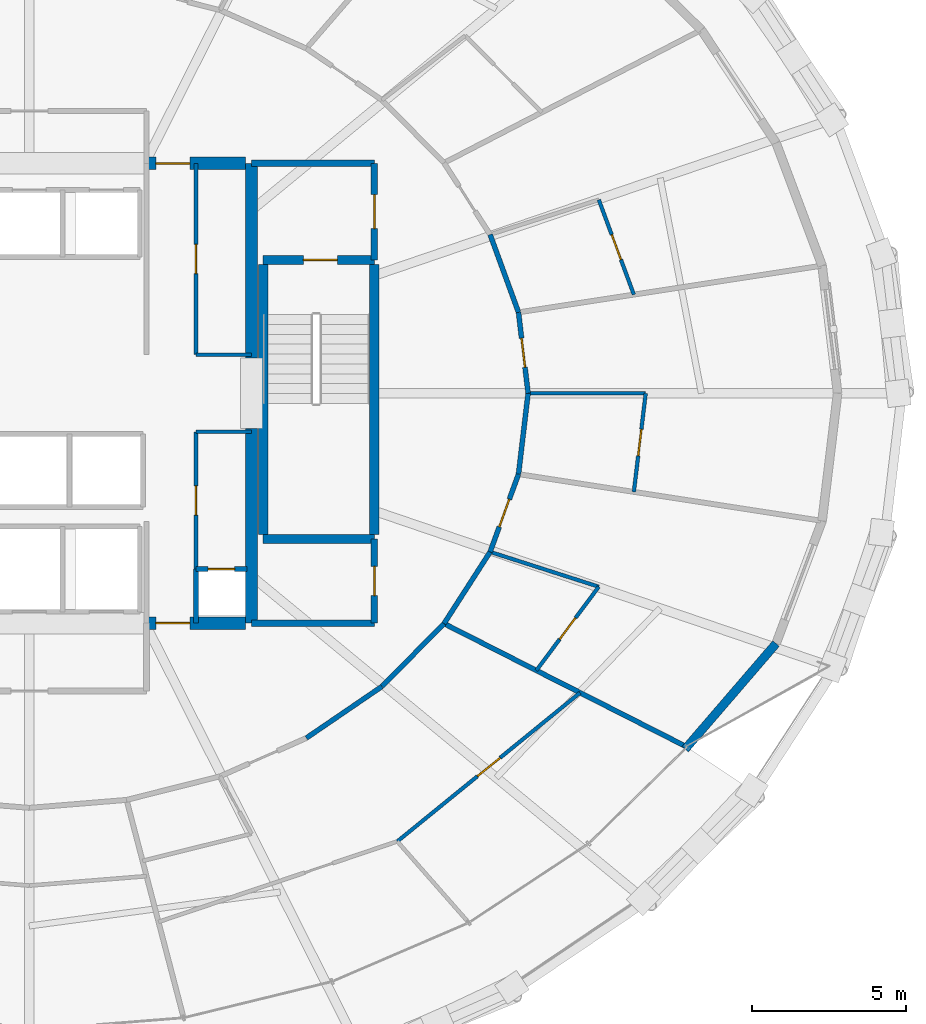
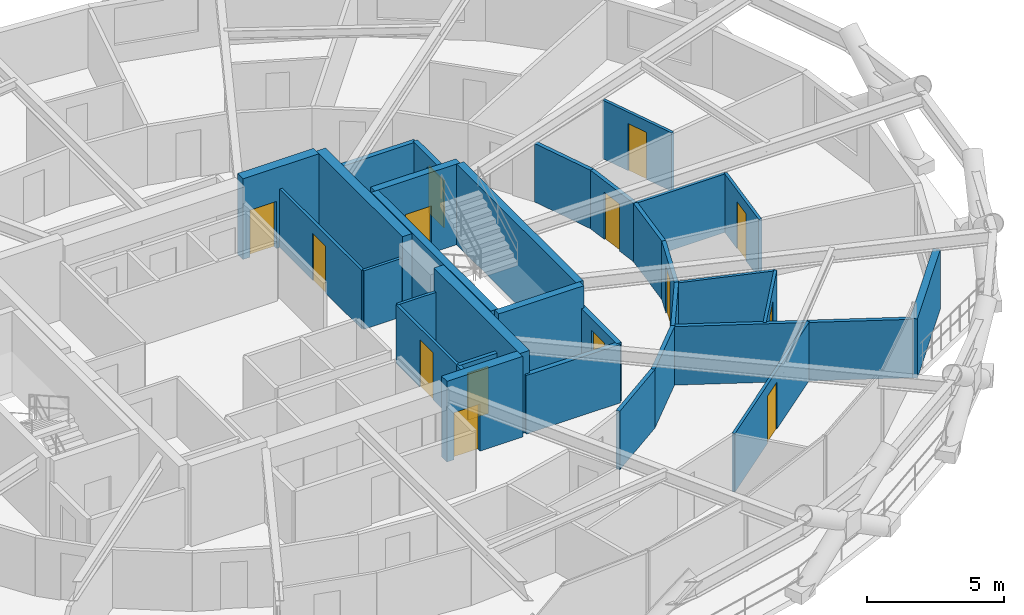
# One storey, part 15 of 19: 33 walls, 14 doors, 14 openings.
"""IFC4 building model written with IfcOpenShell, lengths in metres."""

from ifc_helpers import new_model, si_unit, direction, frame, frame_2d, origin, place, context, subcontext, project, spatial, rectangle, extrude, material, layer, layer_set, type_object, element, fill, save


model = new_model("IFC4")

# Units and contexts
model_context = context("Model", 3, precision=1e-05, world=origin(), true_north=direction((0.0, 1.0)))
body_context = subcontext(model_context, "Body", "Model", "MODEL_VIEW")
ifc_project = project(units=[si_unit("LENGTHUNIT", "METRE"), si_unit("AREAUNIT", "SQUARE_METRE"), si_unit("VOLUMEUNIT", "CUBIC_METRE"), si_unit("PLANEANGLEUNIT", "RADIAN"), si_unit("MASSUNIT", "GRAM", prefix="KILO")], contexts=[model_context])

# Site, building, storey
site_placement = place(None, origin())
site = spatial("IfcSite", under=ifc_project, at=site_placement, CompositionType="ELEMENT")
building_placement = place(site_placement, origin())
building = spatial("IfcBuilding", under=site, at=building_placement, Name="Veldorina Hangang Commons", CompositionType="ELEMENT")
storey_placement = place(building_placement, frame((0.0, 0.0, 44.800048828125)))
storey = spatial("IfcBuildingStorey", under=building, at=storey_placement, Name="L10", CompositionType="ELEMENT", Elevation=44.800048828125)

# Walls
ifc_material_1 = material(Name="Concrete C70/85", Category="concrete")
ifc_layer_1 = layer(ifc_material_1, 0.39990234375)
ifc_layer_set_1 = layer_set([ifc_layer_1], Name="Concrete C70/85")
wall_type_1 = type_object("IfcWallType", Name="CW-RC400-C70", PredefinedType="SHEAR", material=ifc_layer_set_1)
for number, where, z_axis, x_axis, name in (
    (1, (39.199951171875, 16.550048828125, 0.0), (0.0, 0.0, 1.0), (0.0, 1.0, 0.0), "L10 E south core shear wall"),
    (2, (39.199951171875, 25.14990234375, 0.0), (0.0, 0.0, 1.0), (0.0, 1.0, 0.0), "L10 E north core shear wall"),
):
    element("IfcWall", number, at=place(storey_placement, frame(where, z_axis=z_axis, x_axis=x_axis)), inside=storey, type_object=wall_type_1, Name=name, PredefinedType="SHEAR", context=body_context, shape_type="SweptSolid", body=[
        extrude(rectangle(XDim=6.300048828125, YDim=0.39990234375, at=frame_2d((3.14990234375, 0.0))), origin(), (0.0, 0.0, 1.0), 3.599853515625),
    ])

# Wall, opening, door
wall_1_placement = place(storey_placement, frame((35.800048828125, 16.550048828125, 0.0), z_axis=(0.0, 0.0, 1.0), x_axis=(1.0, 0.0, 0.0)))
wall_1 = element("IfcWall", 3, at=wall_1_placement, inside=storey, type_object=wall_type_1, Name="L10 south-east core shear wall", PredefinedType="SHEAR", context=body_context, shape_type="SweptSolid", body=[
    extrude(rectangle(XDim=3.199951171875, YDim=0.39990234375, at=frame_2d((1.60009765625, 0.0))), origin(), (0.0, 0.0, 1.0), 3.599853515625),
])
opening_1_placement = place(wall_1_placement, frame((0.300048828125, 0.0, 0.0)))
opening_1 = element("IfcOpeningElement", 4, at=opening_1_placement, cuts=wall_1, Name="Opening D-08", PredefinedType="OPENING", context=body_context, shape_type="SweptSolid", body=[
    extrude(rectangle(XDim=1.10009765625, YDim=2.10009765625, at=frame_2d((0.550048828125, 1.050048828125))), frame((0.0, 0.2099609375, 0.0), z_axis=(0.0, -1.0, 0.0), x_axis=(1.0, 0.0, 0.0)), (0.0, 0.0, 1.0), 0.419921875),
])
ifc_material_2 = material(Name="Steel Fire-Rated Smoke Seal", Category="steel")
door_type_1 = type_object("IfcDoorType", Name="DR-FIRE-1100", OperationType="SINGLE_SWING_RIGHT", PredefinedType="DOOR", material=ifc_material_2)
door_1_placement = place(opening_1_placement, origin())
door_1 = element("IfcDoor", 5, at=door_1_placement, inside=storey, type_object=door_type_1, Name="L10 central lift lobby south corridor door", OperationType="SINGLE_SWING_RIGHT", OverallHeight=2.10009765625, OverallWidth=1.10009765625, PredefinedType="DOOR", context=body_context, shape_type="SweptSolid", body=[
    extrude(rectangle(XDim=1.10009765625, YDim=2.10009765625, at=frame_2d((0.550048828125, 1.050048828125))), frame((0.0, 0.02490234375, 0.0), z_axis=(0.0, -1.0, 0.0), x_axis=(1.0, 0.0, 0.0)), (0.0, 0.0, 1.0), 0.050048828125),
])
fill(opening_1, door_1)

wall_2_placement = place(storey_placement, frame((35.800048828125, 31.449951171875, 0.0), z_axis=(0.0, 0.0, 1.0), x_axis=(1.0, 0.0, 0.0)))
wall_2 = element("IfcWall", 6, at=wall_2_placement, inside=storey, type_object=wall_type_1, Name="L10 north-east core shear wall", PredefinedType="SHEAR", context=body_context, shape_type="SweptSolid", body=[
    extrude(rectangle(XDim=3.199951171875, YDim=0.39990234375, at=frame_2d((1.60009765625, 0.0))), origin(), (0.0, 0.0, 1.0), 3.599853515625),
])
opening_2_placement = place(wall_2_placement, frame((0.300048828125, 0.0, 0.0)))
opening_2 = element("IfcOpeningElement", 7, at=opening_2_placement, cuts=wall_2, Name="Opening D-08", PredefinedType="OPENING", context=body_context, shape_type="SweptSolid", body=[
    extrude(rectangle(XDim=1.10009765625, YDim=2.10009765625, at=frame_2d((0.550048828125, 1.050048828125))), frame((0.0, 0.2099609375, 0.0), z_axis=(0.0, -1.0, 0.0), x_axis=(1.0, 0.0, 0.0)), (0.0, 0.0, 1.0), 0.419921875),
])
door_2_placement = place(opening_2_placement, origin())
door_2 = element("IfcDoor", 8, at=door_2_placement, inside=storey, type_object=door_type_1, Name="L10 central lift lobby north corridor door", OperationType="SINGLE_SWING_LEFT", OverallHeight=2.10009765625, OverallWidth=1.10009765625, PredefinedType="DOOR", context=body_context, shape_type="SweptSolid", body=[
    extrude(rectangle(XDim=1.10009765625, YDim=2.10009765625, at=frame_2d((0.550048828125, 1.050048828125))), frame((0.0, 0.02490234375, 0.0), z_axis=(0.0, -1.0, 0.0), x_axis=(1.0, 0.0, 0.0)), (0.0, 0.0, 1.0), 0.050048828125),
])
fill(opening_2, door_2)

# Walls
ifc_material_3 = material(Name="Stone Roman Travertine", Category="masonry")
ifc_layer_2 = layer(ifc_material_3, 0.280029296875)
ifc_layer_set_2 = layer_set([ifc_layer_2], Name="Stone Roman Travertine")
wall_type_2 = type_object("IfcWallType", Name="EW-TRAV-280", PredefinedType="STANDARD", material=ifc_layer_set_2)
wall_3_placement = place(storey_placement, frame((53.251220703125, 12.468505859375, 0.0), z_axis=(0.0, 0.0, 1.0), x_axis=(0.652392900896, 0.757880929211, 0.0)))
element("IfcWall", 9, at=wall_3_placement, inside=storey, type_object=wall_type_2, Name="L10 travertine facade wall 29", PredefinedType="STANDARD", context=body_context, shape_type="SweptSolid", body=[
    extrude(rectangle(XDim=4.515380859375, YDim=0.280029296875, at=frame_2d((2.2578125, 0.0))), origin(), (0.0, 0.0, 1.0), 2.64990234375),
])
ifc_material_4 = material(Name="Concrete C50/60", Category="concrete")
ifc_layer_3 = layer(ifc_material_4, 0.300048828125)
ifc_layer_set_3 = layer_set([ifc_layer_3], Name="Concrete C50/60")
wall_type_3 = type_object("IfcWallType", Name="SW-STAIR-300", PredefinedType="SHEAR", material=ifc_layer_set_3)
for number, where, z_axis, x_axis, name in (
    (10, (43.179931640625, 19.429931640625, 0.0), (0.0, 0.0, 1.0), (0.0, 1.0, 0.0), "L10 ST2 outer stair shear wall"),
    (11, (39.580078125, 19.429931640625, 0.0), (0.0, 0.0, 1.0), (0.0, 1.0, 0.0), "L10 ST2 inner stair shear wall"),
):
    element("IfcWall", number, at=place(storey_placement, frame(where, z_axis=z_axis, x_axis=x_axis)), inside=storey, type_object=wall_type_3, Name=name, PredefinedType="SHEAR", context=body_context, shape_type="SweptSolid", body=[
        extrude(rectangle(XDim=8.739990234375, YDim=0.300048828125, at=frame_2d((4.3701171875, 0.0))), origin(), (0.0, 0.0, 1.0), 3.599853515625),
    ])
wall_4_placement = place(storey_placement, frame((39.580078125, 19.280029296875, 0.0), z_axis=(0.0, 0.0, 1.0), x_axis=(1.0, 0.0, 0.0)))
element("IfcWall", 12, at=wall_4_placement, inside=storey, type_object=wall_type_3, Name="L10 ST2 south stair shear wall", PredefinedType="SHEAR", context=body_context, shape_type="SweptSolid", body=[
    extrude(rectangle(XDim=3.599853515625, YDim=0.300048828125, at=frame_2d((1.7998046875, 0.0))), origin(), (0.0, 0.0, 1.0), 3.599853515625),
])

# Wall, opening, door
wall_5_placement = place(storey_placement, frame((39.580078125, 28.320068359375, 0.0), z_axis=(0.0, 0.0, 1.0), x_axis=(1.0, 0.0, 0.0)))
wall_5 = element("IfcWall", 13, at=wall_5_placement, inside=storey, type_object=wall_type_3, Name="L10 ST2 north stair shear wall", PredefinedType="SHEAR", context=body_context, shape_type="SweptSolid", body=[
    extrude(rectangle(XDim=3.599853515625, YDim=0.300048828125, at=frame_2d((1.7998046875, 0.0))), origin(), (0.0, 0.0, 1.0), 3.599853515625),
])
opening_3_placement = place(wall_5_placement, frame((1.300048828125, 0.0, 0.0)))
opening_3 = element("IfcOpeningElement", 14, at=opening_3_placement, cuts=wall_5, Name="Opening D-08", PredefinedType="OPENING", context=body_context, shape_type="SweptSolid", body=[
    extrude(rectangle(XDim=1.10009765625, YDim=2.10009765625, at=frame_2d((0.550048828125, 1.050048828125))), frame((0.0, 0.16015625, 0.0), z_axis=(0.0, -1.0, 0.0), x_axis=(1.0, 0.0, 0.0)), (0.0, 0.0, 1.0), 0.320068359375),
])
door_3_placement = place(opening_3_placement, origin())
door_3 = element("IfcDoor", 15, at=door_3_placement, inside=storey, type_object=door_type_1, Name="L10 Special Escape Stair ST-2 door", OperationType="SINGLE_SWING_RIGHT", OverallHeight=2.10009765625, OverallWidth=1.10009765625, PredefinedType="DOOR", context=body_context, shape_type="SweptSolid", body=[
    extrude(rectangle(XDim=1.10009765625, YDim=2.10009765625, at=frame_2d((0.550048828125, 1.050048828125))), frame((0.0, 0.02490234375, 0.0), z_axis=(0.0, -1.0, 0.0), x_axis=(1.0, 0.0, 0.0)), (0.0, 0.0, 1.0), 0.050048828125),
])
fill(opening_3, door_3)

# Wall
ifc_material_5 = material(Name="Gypsum Fire-Rated Twin Stud Wall", Category="gypsum")
ifc_layer_4 = layer(ifc_material_5, 0.159912109375)
ifc_layer_set_4 = layer_set([ifc_layer_4], Name="Gypsum Fire-Rated Twin Stud Wall")
wall_type_4 = type_object("IfcWallType", Name="WL-FIRE-160", PredefinedType="SOLIDWALL", material=ifc_layer_set_4)
wall_6_placement = place(storey_placement, frame((37.39990234375, 16.550048828125, 0.0), z_axis=(0.0, 0.0, 1.0), x_axis=(0.0, 1.0, 0.0)))
element("IfcWall", 16, at=wall_6_placement, inside=storey, type_object=wall_type_4, Name="L10 Lift passage SE stub 010", PredefinedType="SOLIDWALL", context=body_context, shape_type="SweptSolid", body=[
    extrude(rectangle(XDim=1.75, YDim=0.159912109375, at=frame_2d((0.875, 0.0))), origin(), (0.0, 0.0, 1.0), 2.60986328125),
])

# Wall, opening, door
wall_7_placement = place(storey_placement, frame((37.39990234375, 18.300048828125, 0.0), z_axis=(0.0, 0.0, 1.0), x_axis=(1.0, 0.0, 0.0)))
wall_7 = element("IfcWall", 17, at=wall_7_placement, inside=storey, type_object=wall_type_4, Name="L10 Plumbing riser wall 037", PredefinedType="SOLIDWALL", context=body_context, shape_type="SweptSolid", body=[
    extrude(rectangle(XDim=1.650146484375, YDim=0.159912109375, at=frame_2d((0.8251953125, 0.0))), origin(), (0.0, 0.0, 1.0), 2.60986328125),
])
opening_4_placement = place(wall_7_placement, frame((0.39501953125, 0.0, 0.0)))
opening_4 = element("IfcOpeningElement", 18, at=opening_4_placement, cuts=wall_7, Name="Opening D-01N", PredefinedType="OPENING", context=body_context, shape_type="SweptSolid", body=[
    extrude(rectangle(XDim=0.860107421875, YDim=2.10009765625, at=frame_2d((0.43017578125, 1.050048828125))), frame((0.0, 0.08984375, 0.0), z_axis=(0.0, -1.0, 0.0), x_axis=(1.0, 0.0, 0.0)), (0.0, 0.0, 1.0), 0.179931640625),
])
ifc_material_6 = material(Name="Timber Fire-Rated Core", Category="wood")
door_type_2 = type_object("IfcDoorType", Name="DR-INT-860", OperationType="SINGLE_SWING_LEFT", PredefinedType="DOOR", material=ifc_material_6)
door_4_placement = place(opening_4_placement, origin())
door_4 = element("IfcDoor", 19, at=door_4_placement, inside=storey, type_object=door_type_2, Name="L10 Plumbing riser access door 014", OperationType="SINGLE_SWING_RIGHT", OverallHeight=2.10009765625, OverallWidth=0.860107421875, PredefinedType="TRAPDOOR", context=body_context, shape_type="SweptSolid", body=[
    extrude(rectangle(XDim=0.860107421875, YDim=2.10009765625, at=frame_2d((0.43017578125, 1.050048828125))), frame((0.0, 0.02490234375, 0.0), z_axis=(0.0, -1.0, 0.0), x_axis=(1.0, 0.0, 0.0)), (0.0, 0.0, 1.0), 0.050048828125),
])
fill(opening_4, door_4)

wall_8_placement = place(storey_placement, frame((48.162109375, 24.0, 0.0), z_axis=(0.0, 0.0, 1.0), x_axis=(-0.117667763342, 0.993053018459, 0.0)))
wall_8 = element("IfcWall", 20, at=wall_8_placement, inside=storey, type_object=wall_type_4, Name="L10 Corridor outer wall 00 045", PredefinedType="SOLIDWALL", context=body_context, shape_type="SweptSolid", body=[
    extrude(rectangle(XDim=2.63916015625, YDim=0.159912109375, at=frame_2d((1.319580078125, 0.0))), origin(), (0.0, 0.0, 1.0), 2.60986328125),
])
opening_5_placement = place(wall_8_placement, frame((0.844482421875, 0.0, 0.0)))
opening_5 = element("IfcOpeningElement", 21, at=opening_5_placement, cuts=wall_8, Name="Opening D-03", PredefinedType="OPENING", context=body_context, shape_type="SweptSolid", body=[
    extrude(rectangle(XDim=0.949951171875, YDim=2.10009765625, at=frame_2d((0.47509765625, 1.050048828125))), frame((0.0, 0.08984375, 0.0), z_axis=(0.0, -1.0, 0.0), x_axis=(1.0, 0.0, 0.0)), (0.0, 0.0, 1.0), 0.179931640625),
])
ifc_material_7 = material(Name="Timber Fire-Rated Entrance Core", Category="wood")
door_type_3 = type_object("IfcDoorType", Name="DR-UNIT-950", OperationType="SINGLE_SWING_RIGHT", PredefinedType="DOOR", material=ifc_material_7)
door_5_placement = place(opening_5_placement, origin())
door_5 = element("IfcDoor", 22, at=door_5_placement, inside=storey, type_object=door_type_3, Name="L10 Studio 4 entrance door 028", OperationType="SINGLE_SWING_RIGHT", OverallHeight=2.10009765625, OverallWidth=0.949951171875, PredefinedType="DOOR", context=body_context, shape_type="SweptSolid", body=[
    extrude(rectangle(XDim=0.949951171875, YDim=2.10009765625, at=frame_2d((0.47509765625, 1.050048828125))), frame((0.0, 0.02490234375, 0.0), z_axis=(0.0, -1.0, 0.0), x_axis=(1.0, 0.0, 0.0)), (0.0, 0.0, 1.0), 0.050048828125),
])
fill(opening_5, door_5)

# Walls
wall_9_placement = place(storey_placement, frame((47.8515625, 26.620849609375, 0.0), z_axis=(0.0, 0.0, 1.0), x_axis=(-0.342882618672, 0.939378257047, 0.0)))
element("IfcWall", 23, at=wall_9_placement, inside=storey, type_object=wall_type_4, Name="L10 Corridor outer wall 01 046", PredefinedType="SOLIDWALL", context=body_context, shape_type="SweptSolid", body=[
    extrude(rectangle(XDim=2.682861328125, YDim=0.159912109375, at=frame_2d((1.34130859375, 0.0))), origin(), (0.0, 0.0, 1.0), 2.60986328125),
])
wall_10_placement = place(storey_placement, frame((40.97900390625, 12.830078125, 0.0), z_axis=(0.0, 0.0, 1.0), x_axis=(0.826112340767, 0.563505457323, 0.0)))
element("IfcWall", 24, at=wall_10_placement, inside=storey, type_object=wall_type_4, Name="L10 Corridor outer wall 27 072", PredefinedType="SOLIDWALL", context=body_context, shape_type="SweptSolid", body=[
    extrude(rectangle(XDim=2.96484375, YDim=0.159912109375, at=frame_2d((1.482421875, 0.0))), origin(), (0.0, 0.0, 1.0), 2.60986328125),
])
wall_11_placement = place(storey_placement, frame((43.42822265625, 14.500732421875, 0.0), z_axis=(0.0, 0.0, 1.0), x_axis=(0.702569520063, 0.711615113301, 0.0)))
element("IfcWall", 25, at=wall_11_placement, inside=storey, type_object=wall_type_4, Name="L10 Corridor outer wall 28 073", PredefinedType="SOLIDWALL", context=body_context, shape_type="SweptSolid", body=[
    extrude(rectangle(XDim=2.86083984375, YDim=0.159912109375, at=frame_2d((1.430419921875, 0.0))), origin(), (0.0, 0.0, 1.0), 2.60986328125),
])
wall_12_placement = place(storey_placement, frame((45.438232421875, 16.53662109375, 0.0), z_axis=(0.0, 0.0, 1.0), x_axis=(0.540891657444, 0.841092274907, 0.0)))
element("IfcWall", 26, at=wall_12_placement, inside=storey, type_object=wall_type_4, Name="L10 Corridor outer wall 29 074", PredefinedType="SOLIDWALL", context=body_context, shape_type="SweptSolid", body=[
    extrude(rectangle(XDim=2.760986328125, YDim=0.159912109375, at=frame_2d((1.38037109375, 0.0))), origin(), (0.0, 0.0, 1.0), 2.60986328125),
])

# Wall, opening, door
wall_13_placement = place(storey_placement, frame((46.931640625, 18.85888671875, 0.0), z_axis=(0.0, 0.0, 1.0), x_axis=(0.342882618672, 0.939378257047, 0.0)))
wall_13 = element("IfcWall", 27, at=wall_13_placement, inside=storey, type_object=wall_type_4, Name="L10 Corridor outer wall 30 075", PredefinedType="SOLIDWALL", context=body_context, shape_type="SweptSolid", body=[
    extrude(rectangle(XDim=2.682861328125, YDim=0.159912109375, at=frame_2d((1.34130859375, 0.0))), origin(), (0.0, 0.0, 1.0), 2.60986328125),
])
opening_6_placement = place(wall_13_placement, frame((0.866455078125, 0.0, 0.0)))
opening_6 = element("IfcOpeningElement", 28, at=opening_6_placement, cuts=wall_13, Name="Opening D-03", PredefinedType="OPENING", context=body_context, shape_type="SweptSolid", body=[
    extrude(rectangle(XDim=0.949951171875, YDim=2.10009765625, at=frame_2d((0.47509765625, 1.050048828125))), frame((0.0, 0.08984375, 0.0), z_axis=(0.0, -1.0, 0.0), x_axis=(1.0, 0.0, 0.0)), (0.0, 0.0, 1.0), 0.179931640625),
])
door_6_placement = place(opening_6_placement, origin())
door_6 = element("IfcDoor", 29, at=door_6_placement, inside=storey, type_object=door_type_3, Name="L10 Studio 3 entrance door 026", OperationType="SINGLE_SWING_RIGHT", OverallHeight=2.10009765625, OverallWidth=0.949951171875, PredefinedType="DOOR", context=body_context, shape_type="SweptSolid", body=[
    extrude(rectangle(XDim=0.949951171875, YDim=2.10009765625, at=frame_2d((0.47509765625, 1.050048828125))), frame((0.0, 0.02490234375, 0.0), z_axis=(0.0, -1.0, 0.0), x_axis=(1.0, 0.0, 0.0)), (0.0, 0.0, 1.0), 0.050048828125),
])
fill(opening_6, door_6)

# Walls
wall_14_placement = place(storey_placement, frame((47.8515625, 21.379150390625, 0.0), z_axis=(0.0, 0.0, 1.0), x_axis=(0.117667763342, 0.993053018459, 0.0)))
element("IfcWall", 30, at=wall_14_placement, inside=storey, type_object=wall_type_4, Name="L10 Corridor outer wall 31 076", PredefinedType="SOLIDWALL", context=body_context, shape_type="SweptSolid", body=[
    extrude(rectangle(XDim=2.63916015625, YDim=0.159912109375, at=frame_2d((1.319580078125, 0.0))), origin(), (0.0, 0.0, 1.0), 2.60986328125),
])
wall_15_placement = place(storey_placement, frame((45.438232421875, 16.53662109375, 0.0), z_axis=(0.0, 0.0, 1.0), x_axis=(0.891601143044, -0.452821600327, 0.0)))
element("IfcWall", 31, at=wall_15_placement, inside=storey, type_object=wall_type_4, Name="L10 Unit party wall 29 087", PredefinedType="SOLIDWALL", context=body_context, shape_type="SweptSolid", body=[
    extrude(rectangle(XDim=8.780029296875, YDim=0.159912109375, at=frame_2d((4.39013671875, 0.0))), origin(), (0.0, 0.0, 1.0), 2.60986328125),
])

# Wall, opening, door
ifc_material_8 = material(Name="Concrete Blockwork Fire Wall C30/37", Category="masonry")
ifc_layer_5 = layer(ifc_material_8, 0.199951171875)
ifc_layer_set_5 = layer_set([ifc_layer_5], Name="Concrete Blockwork Fire Wall C30/37")
wall_type_5 = type_object("IfcWallType", Name="WL-FIRE-200", PredefinedType="SOLIDWALL", material=ifc_layer_set_5)
wall_16_placement = place(storey_placement, frame((43.179931640625, 28.320068359375, 0.0), z_axis=(0.0, 0.0, 1.0), x_axis=(0.0, 1.0, 0.0)))
wall_16 = element("IfcWall", 32, at=wall_16_placement, inside=storey, type_object=wall_type_5, Name="L10 East vestibule outer wall 003", PredefinedType="SOLIDWALL", context=body_context, shape_type="SweptSolid", body=[
    extrude(rectangle(XDim=3.1298828125, YDim=0.199951171875, at=frame_2d((1.56494140625, 0.0))), origin(), (0.0, 0.0, 1.0), 2.60986328125),
])
opening_7_placement = place(wall_16_placement, frame((1.014892578125, 0.0, 0.0)))
opening_7 = element("IfcOpeningElement", 33, at=opening_7_placement, cuts=wall_16, Name="Opening D-08", PredefinedType="OPENING", context=body_context, shape_type="SweptSolid", body=[
    extrude(rectangle(XDim=1.10009765625, YDim=2.10009765625, at=frame_2d((0.550048828125, 1.050048828125))), frame((0.0, 0.10986328125, 0.0), z_axis=(0.0, -1.0, 0.0), x_axis=(1.0, 0.0, 0.0)), (0.0, 0.0, 1.0), 0.219970703125),
])
door_7_placement = place(opening_7_placement, origin())
door_7 = element("IfcDoor", 34, at=door_7_placement, inside=storey, type_object=door_type_1, Name="L10 East vestibule east door 002", OperationType="SINGLE_SWING_RIGHT", OverallHeight=2.10009765625, OverallWidth=1.10009765625, PredefinedType="DOOR", context=body_context, shape_type="SweptSolid", body=[
    extrude(rectangle(XDim=1.10009765625, YDim=2.10009765625, at=frame_2d((0.550048828125, 1.050048828125))), frame((0.0, 0.02490234375, 0.0), z_axis=(0.0, -1.0, 0.0), x_axis=(1.0, 0.0, 0.0)), (0.0, 0.0, 1.0), 0.050048828125),
])
fill(opening_7, door_7)

# Wall
wall_17_placement = place(storey_placement, frame((39.199951171875, 31.449951171875, 0.0), z_axis=(0.0, 0.0, 1.0), x_axis=(1.0, 0.0, 0.0)))
element("IfcWall", 35, at=wall_17_placement, inside=storey, type_object=wall_type_5, Name="L10 East vestibule north wall 004", PredefinedType="SOLIDWALL", context=body_context, shape_type="SweptSolid", body=[
    extrude(rectangle(XDim=3.97998046875, YDim=0.199951171875, at=frame_2d((1.989990234375, 0.0))), origin(), (0.0, 0.0, 1.0), 2.60986328125),
])

# Wall, opening, door
wall_18_placement = place(storey_placement, frame((43.179931640625, 16.550048828125, 0.0), z_axis=(0.0, 0.0, 1.0), x_axis=(0.0, 1.0, 0.0)))
wall_18 = element("IfcWall", 36, at=wall_18_placement, inside=storey, type_object=wall_type_5, Name="L10 SE core room outer wall 007", PredefinedType="SOLIDWALL", context=body_context, shape_type="SweptSolid", body=[
    extrude(rectangle(XDim=2.72998046875, YDim=0.199951171875, at=frame_2d((1.364990234375, 0.0))), origin(), (0.0, 0.0, 1.0), 2.60986328125),
])
opening_8_placement = place(wall_18_placement, frame((0.889892578125, 0.0, 0.0)))
opening_8 = element("IfcOpeningElement", 37, at=opening_8_placement, cuts=wall_18, Name="Opening D-02", PredefinedType="OPENING", context=body_context, shape_type="SweptSolid", body=[
    extrude(rectangle(XDim=0.949951171875, YDim=2.10009765625, at=frame_2d((0.47509765625, 1.050048828125))), frame((0.0, 0.10986328125, 0.0), z_axis=(0.0, -1.0, 0.0), x_axis=(1.0, 0.0, 0.0)), (0.0, 0.0, 1.0), 0.219970703125),
])
ifc_material_9 = material(Name="Timber Solid Core Acoustic", Category="wood")
door_type_4 = type_object("IfcDoorType", Name="DR-INT-950", OperationType="SINGLE_SWING_LEFT", PredefinedType="DOOR", material=ifc_material_9)
door_8_placement = place(opening_8_placement, origin())
door_8 = element("IfcDoor", 38, at=door_8_placement, inside=storey, type_object=door_type_4, Name="L10 SE core WC door 004", OperationType="SINGLE_SWING_RIGHT", OverallHeight=2.10009765625, OverallWidth=0.949951171875, PredefinedType="DOOR", context=body_context, shape_type="SweptSolid", body=[
    extrude(rectangle(XDim=0.949951171875, YDim=2.10009765625, at=frame_2d((0.47509765625, 1.050048828125))), frame((0.0, 0.02490234375, 0.0), z_axis=(0.0, -1.0, 0.0), x_axis=(1.0, 0.0, 0.0)), (0.0, 0.0, 1.0), 0.050048828125),
])
fill(opening_8, door_8)

# Wall
wall_19_placement = place(storey_placement, frame((39.199951171875, 16.550048828125, 0.0), z_axis=(0.0, 0.0, 1.0), x_axis=(1.0, 0.0, 0.0)))
element("IfcWall", 39, at=wall_19_placement, inside=storey, type_object=wall_type_5, Name="L10 SE core room south wall 008", PredefinedType="SOLIDWALL", context=body_context, shape_type="SweptSolid", body=[
    extrude(rectangle(XDim=3.97998046875, YDim=0.199951171875, at=frame_2d((1.989990234375, 0.0))), origin(), (0.0, 0.0, 1.0), 2.60986328125),
])

# Wall, opening, door
ifc_material_10 = material(Name="Gypsum Acoustic Stud Partition", Category="gypsum")
ifc_layer_6 = layer(ifc_material_10, 0.1201171875)
ifc_layer_set_6 = layer_set([ifc_layer_6], Name="Gypsum Acoustic Stud Partition")
wall_type_6 = type_object("IfcWallType", Name="WL-PART-120", PredefinedType="PARTITIONING", material=ifc_layer_set_6)
wall_20_placement = place(storey_placement, frame((37.39990234375, 25.25, 0.0), z_axis=(0.0, 0.0, 1.0), x_axis=(0.0, 1.0, 0.0)))
wall_20 = element("IfcWall", 40, at=wall_20_placement, inside=storey, type_object=wall_type_6, Name="L10 NE strip lobby wall 041", PredefinedType="PARTITIONING", context=body_context, shape_type="SweptSolid", body=[
    extrude(rectangle(XDim=6.199951171875, YDim=0.1201171875, at=frame_2d((3.10009765625, 0.0))), origin(), (0.0, 0.0, 1.0), 2.60986328125),
])
opening_9_placement = place(wall_20_placement, frame((2.625, 0.0, 0.0)))
opening_9 = element("IfcOpeningElement", 41, at=opening_9_placement, cuts=wall_20, Name="Opening D-02", PredefinedType="OPENING", context=body_context, shape_type="SweptSolid", body=[
    extrude(rectangle(XDim=0.949951171875, YDim=2.10009765625, at=frame_2d((0.47509765625, 1.050048828125))), frame((0.0, 0.070068359375, 0.0), z_axis=(0.0, -1.0, 0.0), x_axis=(1.0, 0.0, 0.0)), (0.0, 0.0, 1.0), 0.14013671875),
])
door_9_placement = place(opening_9_placement, origin())
door_9 = element("IfcDoor", 42, at=door_9_placement, inside=storey, type_object=door_type_4, Name="L10 Comms room door 017", OperationType="SINGLE_SWING_LEFT", OverallHeight=2.10009765625, OverallWidth=0.949951171875, PredefinedType="DOOR", context=body_context, shape_type="SweptSolid", body=[
    extrude(rectangle(XDim=0.949951171875, YDim=2.10009765625, at=frame_2d((0.47509765625, 1.050048828125))), frame((0.0, 0.02490234375, 0.0), z_axis=(0.0, -1.0, 0.0), x_axis=(1.0, 0.0, 0.0)), (0.0, 0.0, 1.0), 0.050048828125),
])
fill(opening_9, door_9)

# Wall
wall_21_placement = place(storey_placement, frame((37.39990234375, 25.25, 0.0), z_axis=(0.0, 0.0, 1.0), x_axis=(1.0, 0.0, 0.0)))
element("IfcWall", 43, at=wall_21_placement, inside=storey, type_object=wall_type_6, Name="L10 NE strip south return wall 042", PredefinedType="PARTITIONING", context=body_context, shape_type="SweptSolid", body=[
    extrude(rectangle(XDim=1.800048828125, YDim=0.1201171875, at=frame_2d((0.89990234375, 0.0))), origin(), (0.0, 0.0, 1.0), 2.60986328125),
])

# Wall, opening, door
wall_22_placement = place(storey_placement, frame((37.39990234375, 18.300048828125, 0.0), z_axis=(0.0, 0.0, 1.0), x_axis=(0.0, 1.0, 0.0)))
wall_22 = element("IfcWall", 44, at=wall_22_placement, inside=storey, type_object=wall_type_6, Name="L10 SE strip lobby wall 043", PredefinedType="PARTITIONING", context=body_context, shape_type="SweptSolid", body=[
    extrude(rectangle(XDim=4.449951171875, YDim=0.1201171875, at=frame_2d((2.22509765625, 0.0))), origin(), (0.0, 0.0, 1.0), 2.60986328125),
])
opening_10_placement = place(wall_22_placement, frame((1.75, 0.0, 0.0)))
opening_10 = element("IfcOpeningElement", 45, at=opening_10_placement, cuts=wall_22, Name="Opening D-02", PredefinedType="OPENING", context=body_context, shape_type="SweptSolid", body=[
    extrude(rectangle(XDim=0.949951171875, YDim=2.10009765625, at=frame_2d((0.47509765625, 1.050048828125))), frame((0.0, 0.070068359375, 0.0), z_axis=(0.0, -1.0, 0.0), x_axis=(1.0, 0.0, 0.0)), (0.0, 0.0, 1.0), 0.14013671875),
])
door_10_placement = place(opening_10_placement, origin())
door_10 = element("IfcDoor", 46, at=door_10_placement, inside=storey, type_object=door_type_4, Name="L10 BMS closet door 018", OperationType="SINGLE_SWING_RIGHT", OverallHeight=2.10009765625, OverallWidth=0.949951171875, PredefinedType="DOOR", context=body_context, shape_type="SweptSolid", body=[
    extrude(rectangle(XDim=0.949951171875, YDim=2.10009765625, at=frame_2d((0.47509765625, 1.050048828125))), frame((0.0, 0.02490234375, 0.0), z_axis=(0.0, -1.0, 0.0), x_axis=(1.0, 0.0, 0.0)), (0.0, 0.0, 1.0), 0.050048828125),
])
fill(opening_10, door_10)

# Wall
wall_23_placement = place(storey_placement, frame((37.39990234375, 22.75, 0.0), z_axis=(0.0, 0.0, 1.0), x_axis=(1.0, 0.0, 0.0)))
element("IfcWall", 47, at=wall_23_placement, inside=storey, type_object=wall_type_6, Name="L10 SE strip north return wall 044", PredefinedType="PARTITIONING", context=body_context, shape_type="SweptSolid", body=[
    extrude(rectangle(XDim=1.800048828125, YDim=0.1201171875, at=frame_2d((0.89990234375, 0.0))), origin(), (0.0, 0.0, 1.0), 2.60986328125),
])

# Wall, opening, door
wall_24_placement = place(storey_placement, frame((43.925048828125, 9.47900390625, 0.0), z_axis=(0.0, 0.0, 1.0), x_axis=(0.775688329038, 0.631116166957, 0.0)))
wall_24 = element("IfcWall", 48, at=wall_24_placement, inside=storey, type_object=wall_type_6, Name="L10 Cluster 2 bed 2 front wall 085", PredefinedType="PARTITIONING", context=body_context, shape_type="SweptSolid", body=[
    extrude(rectangle(XDim=7.634765625, YDim=0.1201171875, at=frame_2d((3.8173828125, 0.0))), origin(), (0.0, 0.0, 1.0), 2.60986328125),
])
opening_11_placement = place(wall_24_placement, frame((3.34228515625, 0.0, 0.0)))
opening_11 = element("IfcOpeningElement", 49, at=opening_11_placement, cuts=wall_24, Name="Opening D-02", PredefinedType="OPENING", context=body_context, shape_type="SweptSolid", body=[
    extrude(rectangle(XDim=0.949951171875, YDim=2.10009765625, at=frame_2d((0.47509765625, 1.050048828125))), frame((0.0, 0.070068359375, 0.0), z_axis=(0.0, -1.0, 0.0), x_axis=(1.0, 0.0, 0.0)), (0.0, 0.0, 1.0), 0.14013671875),
])
door_11_placement = place(opening_11_placement, origin())
door_11 = element("IfcDoor", 50, at=door_11_placement, inside=storey, type_object=door_type_4, Name="L10 Cluster 2 bed 2 door 024", OperationType="SINGLE_SWING_RIGHT", OverallHeight=2.10009765625, OverallWidth=0.949951171875, PredefinedType="DOOR", context=body_context, shape_type="SweptSolid", body=[
    extrude(rectangle(XDim=0.949951171875, YDim=2.10009765625, at=frame_2d((0.47509765625, 1.050048828125))), frame((0.0, 0.02490234375, 0.0), z_axis=(0.0, -1.0, 0.0), x_axis=(1.0, 0.0, 0.0)), (0.0, 0.0, 1.0), 0.050048828125),
])
fill(opening_11, door_11)

wall_25_placement = place(storey_placement, frame((48.429931640625, 15.01708984375, 0.0), z_axis=(0.0, 0.0, 1.0), x_axis=(0.597596813452, 0.801796762623, 0.0)))
wall_25 = element("IfcWall", 51, at=wall_25_placement, inside=storey, type_object=wall_type_6, Name="L10 Studio 3 bath front wall 088", PredefinedType="PARTITIONING", context=body_context, shape_type="SweptSolid", body=[
    extrude(rectangle(XDim=3.384765625, YDim=0.1201171875, at=frame_2d((1.6923828125, 0.0))), origin(), (0.0, 0.0, 1.0), 2.60986328125),
])
opening_12_placement = place(wall_25_placement, frame((1.262451171875, 0.0, 0.0)))
opening_12 = element("IfcOpeningElement", 52, at=opening_12_placement, cuts=wall_25, Name="Opening D-01", PredefinedType="OPENING", context=body_context, shape_type="SweptSolid", body=[
    extrude(rectangle(XDim=0.860107421875, YDim=2.10009765625, at=frame_2d((0.43017578125, 1.050048828125))), frame((0.0, 0.070068359375, 0.0), z_axis=(0.0, -1.0, 0.0), x_axis=(1.0, 0.0, 0.0)), (0.0, 0.0, 1.0), 0.14013671875),
])
ifc_material_11 = material(Name="Timber Moisture-Resistant Core", Category="wood")
door_type_5 = type_object("IfcDoorType", Name="DR-WET-860", OperationType="SINGLE_SWING_LEFT", PredefinedType="DOOR", material=ifc_material_11)
door_12_placement = place(opening_12_placement, origin())
door_12 = element("IfcDoor", 53, at=door_12_placement, inside=storey, type_object=door_type_5, Name="L10 Studio 3 bathroom door 025", OperationType="SINGLE_SWING_LEFT", OverallHeight=2.10009765625, OverallWidth=0.860107421875, PredefinedType="DOOR", context=body_context, shape_type="SweptSolid", body=[
    extrude(rectangle(XDim=0.860107421875, YDim=2.10009765625, at=frame_2d((0.43017578125, 1.050048828125))), frame((0.0, 0.02490234375, 0.0), z_axis=(0.0, -1.0, 0.0), x_axis=(1.0, 0.0, 0.0)), (0.0, 0.0, 1.0), 0.050048828125),
])
fill(opening_12, door_12)

# Wall
wall_26_placement = place(storey_placement, frame((46.931640625, 18.85888671875, 0.0), z_axis=(0.0, 0.0, 1.0), x_axis=(0.952329028564, -0.3050728132, 0.0)))
element("IfcWall", 54, at=wall_26_placement, inside=storey, type_object=wall_type_6, Name="L10 Studio 3 bath side wall 089", PredefinedType="PARTITIONING", context=body_context, shape_type="SweptSolid", body=[
    extrude(rectangle(XDim=3.697265625, YDim=0.1201171875, at=frame_2d((1.8486328125, 0.0))), origin(), (0.0, 0.0, 1.0), 2.60986328125),
])

# Wall, opening, door
wall_27_placement = place(storey_placement, frame((51.589111328125, 20.80419921875, 0.0), z_axis=(0.0, 0.0, 1.0), x_axis=(0.119234947107, 0.992866067196, 0.0)))
wall_27 = element("IfcWall", 55, at=wall_27_placement, inside=storey, type_object=wall_type_6, Name="L10 Studio 4 bath front wall 091", PredefinedType="PARTITIONING", context=body_context, shape_type="SweptSolid", body=[
    extrude(rectangle(XDim=3.21875, YDim=0.1201171875, at=frame_2d((1.609375, 0.0))), origin(), (0.0, 0.0, 1.0), 2.60986328125),
])
opening_13_placement = place(wall_27_placement, frame((1.179443359375, 0.0, 0.0)))
opening_13 = element("IfcOpeningElement", 56, at=opening_13_placement, cuts=wall_27, Name="Opening D-01", PredefinedType="OPENING", context=body_context, shape_type="SweptSolid", body=[
    extrude(rectangle(XDim=0.860107421875, YDim=2.10009765625, at=frame_2d((0.43017578125, 1.050048828125))), frame((0.0, 0.070068359375, 0.0), z_axis=(0.0, -1.0, 0.0), x_axis=(1.0, 0.0, 0.0)), (0.0, 0.0, 1.0), 0.14013671875),
])
door_13_placement = place(opening_13_placement, origin())
door_13 = element("IfcDoor", 57, at=door_13_placement, inside=storey, type_object=door_type_5, Name="L10 Studio 4 bathroom door 027", OperationType="SINGLE_SWING_LEFT", OverallHeight=2.10009765625, OverallWidth=0.860107421875, PredefinedType="DOOR", context=body_context, shape_type="SweptSolid", body=[
    extrude(rectangle(XDim=0.860107421875, YDim=2.10009765625, at=frame_2d((0.43017578125, 1.050048828125))), frame((0.0, 0.02490234375, 0.0), z_axis=(0.0, -1.0, 0.0), x_axis=(1.0, 0.0, 0.0)), (0.0, 0.0, 1.0), 0.050048828125),
])
fill(opening_13, door_13)

# Wall
wall_28_placement = place(storey_placement, frame((48.162109375, 24.0, 0.0), z_axis=(0.0, 0.0, 1.0), x_axis=(1.0, 0.0, 0.0)))
element("IfcWall", 58, at=wall_28_placement, inside=storey, type_object=wall_type_6, Name="L10 Studio 4 bath side wall 092", PredefinedType="PARTITIONING", context=body_context, shape_type="SweptSolid", body=[
    extrude(rectangle(XDim=3.810791015625, YDim=0.1201171875, at=frame_2d((1.9052734375, 0.0))), origin(), (0.0, 0.0, 1.0), 2.60986328125),
])

# Wall, opening, door
wall_29_placement = place(storey_placement, frame((51.589111328125, 27.19580078125, 0.0), z_axis=(0.0, 0.0, 1.0), x_axis=(-0.346841100729, 0.937923904613, 0.0)))
wall_29 = element("IfcWall", 59, at=wall_29_placement, inside=storey, type_object=wall_type_6, Name="L10 Studio 5 bath front wall 094", PredefinedType="PARTITIONING", context=body_context, shape_type="SweptSolid", body=[
    extrude(rectangle(XDim=3.276611328125, YDim=0.1201171875, at=frame_2d((1.63818359375, 0.0))), origin(), (0.0, 0.0, 1.0), 2.60986328125),
])
opening_14_placement = place(wall_29_placement, frame((1.208251953125, 0.0, 0.0)))
opening_14 = element("IfcOpeningElement", 60, at=opening_14_placement, cuts=wall_29, Name="Opening D-01", PredefinedType="OPENING", context=body_context, shape_type="SweptSolid", body=[
    extrude(rectangle(XDim=0.860107421875, YDim=2.10009765625, at=frame_2d((0.43017578125, 1.050048828125))), frame((0.0, 0.070068359375, 0.0), z_axis=(0.0, -1.0, 0.0), x_axis=(1.0, 0.0, 0.0)), (0.0, 0.0, 1.0), 0.14013671875),
])
door_14_placement = place(opening_14_placement, origin())
door_14 = element("IfcDoor", 61, at=door_14_placement, inside=storey, type_object=door_type_5, Name="L10 Studio 5 bathroom door 029", OperationType="SINGLE_SWING_LEFT", OverallHeight=2.10009765625, OverallWidth=0.860107421875, PredefinedType="DOOR", context=body_context, shape_type="SweptSolid", body=[
    extrude(rectangle(XDim=0.860107421875, YDim=2.10009765625, at=frame_2d((0.43017578125, 1.050048828125))), frame((0.0, 0.02490234375, 0.0), z_axis=(0.0, -1.0, 0.0), x_axis=(1.0, 0.0, 0.0)), (0.0, 0.0, 1.0), 0.050048828125),
])
fill(opening_14, door_14)

save(model, "model.ifc")
